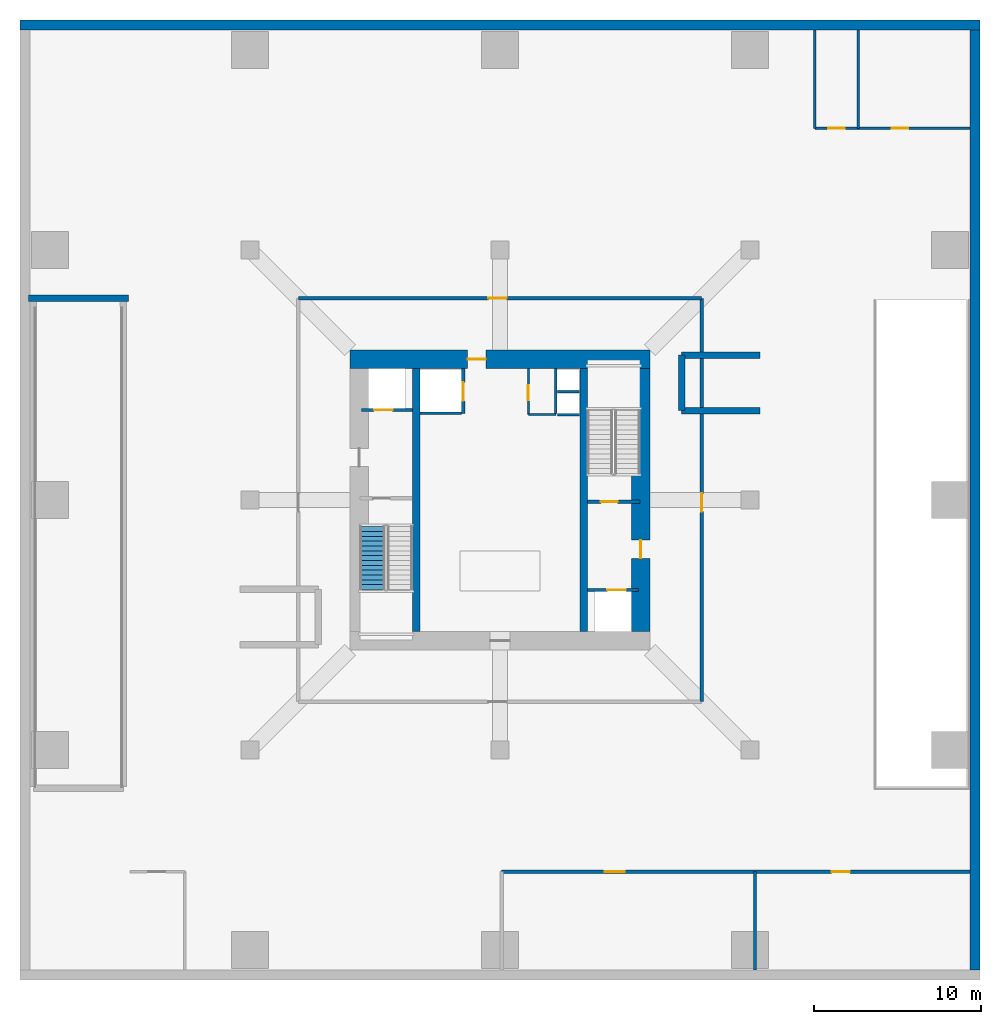
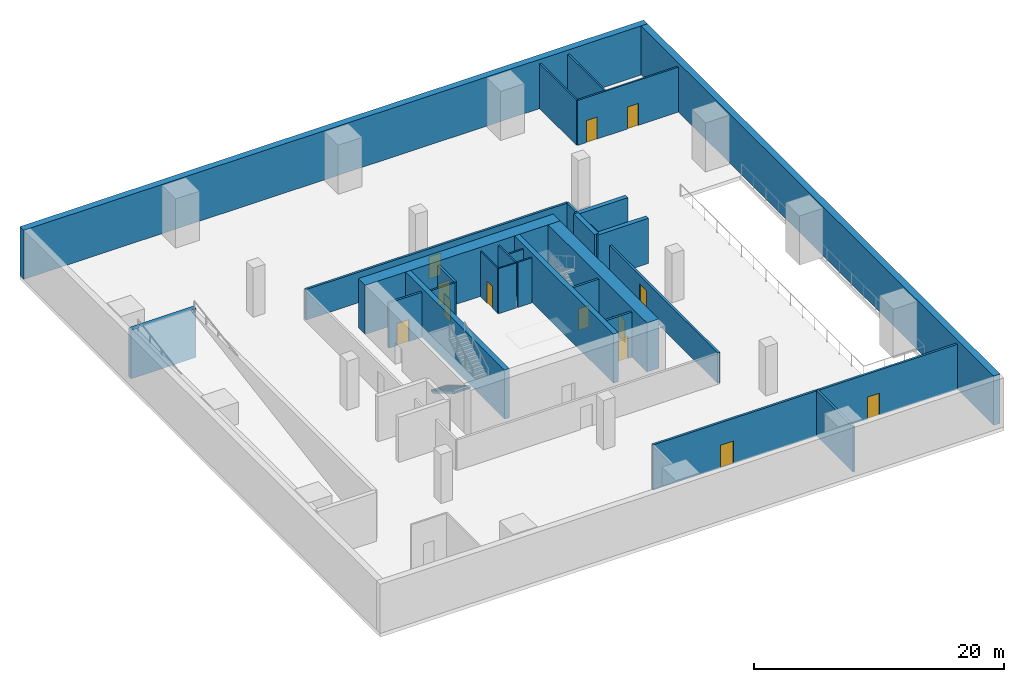
# One storey, part 2 of 6: 27 walls, 13 doors, 1 stair flight, 13 openings, 1 element without a shape of its own.
"""IFC4 building model written with IfcOpenShell, lengths in metres."""

import ifcopenshell
import ifcopenshell.guid

model = None  # the IFC model being written
_history = None  # IfcOwnerHistory: only IFC2X3 demands one
_inside = {}  # id of a spatial element -> (the spatial element, [elements in it])
_under = {}  # id of a project, library or spatial element -> (it, [spatial elements below it])
_declared = {}  # id of a project -> (the project, [libraries it declares])
_typed = {}  # id of a type object -> (the type object, [elements of that type])
_made_of = {}  # id of a material, layer set ... -> (it, [elements and type objects made of it])


def new_model(schema):
    """Start an empty IFC model of exactly this schema.

    Asked for "IFC4X3", IfcOpenShell would pick the latest addendum, in which some entities
    have other attributes; the version numbers below select the first issue.
    IFC2X3 requires an IfcOwnerHistory on every rooted entity: one is made here for all.
    """
    global model, _history
    if schema == "IFC4X3":
        model = ifcopenshell.file(schema_version=(4, 3, 0, 0))
    else:
        model = ifcopenshell.file(schema=schema)
    _inside.clear()
    _under.clear()
    _declared.clear()
    _typed.clear()
    _made_of.clear()
    _history = None
    if model.schema == "IFC2X3":
        org = make("IfcOrganization", Name="unknown")
        user = make(
            "IfcPersonAndOrganization",
            ThePerson=make("IfcPerson", FamilyName="unknown"),
            TheOrganization=org,
        )
        app = make(
            "IfcApplication",
            ApplicationDeveloper=org,
            Version="unknown",
            ApplicationFullName="unknown",
            ApplicationIdentifier="unknown",
        )
        _history = make(
            "IfcOwnerHistory",
            OwningUser=user,
            OwningApplication=app,
            ChangeAction="ADDED",
            CreationDate=0,
        )
    return model


def make(cls, **values):
    """One entity of the class cls with the attributes given. An attribute that is None is left unset."""
    return model.create_entity(
        cls, **{name: value for name, value in values.items() if value is not None}
    )


def rooted(cls, **values):
    """An entity with a GlobalId (a new one), such as an element, a storey or a relation."""
    return make(cls, GlobalId=ifcopenshell.guid.new(), OwnerHistory=_history, **values)


def si_unit(unit_type, name, prefix=None):
    """IfcSIUnit, for example si_unit("LENGTHUNIT", "METRE", prefix="MILLI")."""
    return make("IfcSIUnit", UnitType=unit_type, Prefix=prefix, Name=name)


def assignment(units):
    """IfcUnitAssignment: the units of a project."""
    return None if units is None else make("IfcUnitAssignment", Units=units)


def point(xyz):
    """IfcCartesianPoint."""
    return None if xyz is None else make("IfcCartesianPoint", Coordinates=xyz)


def direction(xyz):
    """IfcDirection."""
    return None if xyz is None else make("IfcDirection", DirectionRatios=xyz)


def frame(location, z_axis=None, x_axis=None):
    """IfcAxis2Placement3D, a coordinate frame: its origin and axes. An axis left out is left unset."""
    return make(
        "IfcAxis2Placement3D",
        Location=point(location),
        Axis=direction(z_axis),
        RefDirection=direction(x_axis),
    )


def frame_2d(location, x_axis=None):
    """IfcAxis2Placement2D, a coordinate frame in the plane: its origin and x axis."""
    return make(
        "IfcAxis2Placement2D", Location=point(location), RefDirection=direction(x_axis)
    )


def origin():
    """The frame at (0, 0, 0) with its axes left unset."""
    return frame((0.0, 0.0, 0.0))


def place(relative_to, where):
    """IfcLocalPlacement: puts the frame where relative to a parent placement (None: the world)."""
    return make(
        "IfcLocalPlacement", PlacementRelTo=relative_to, RelativePlacement=where
    )


def context(
    kind, dimensions, precision=None, world=None, true_north=None, identifier=None
):
    """IfcGeometricRepresentationContext, for example the 3D "Model" context."""
    return make(
        "IfcGeometricRepresentationContext",
        ContextIdentifier=identifier,
        ContextType=kind,
        CoordinateSpaceDimension=dimensions,
        Precision=precision,
        WorldCoordinateSystem=world,
        TrueNorth=true_north,
    )


def subcontext(parent, identifier, kind, view, scale=None):
    """IfcGeometricRepresentationSubContext, for example "Body" below "Model"."""
    return make(
        "IfcGeometricRepresentationSubContext",
        ContextIdentifier=identifier,
        ContextType=kind,
        ParentContext=parent,
        TargetScale=scale,
        TargetView=view,
    )


def project(units=None, contexts=None):
    """IfcProject with its units and contexts."""
    return rooted(
        "IfcProject",
        Name="project",
        RepresentationContexts=contexts,
        UnitsInContext=assignment(units),
    )


def spatial(cls, under=None, at=None, **own):
    """A site, building, storey or space (cls), placed at a placement, below another one or the project."""
    s = rooted(cls, ObjectPlacement=at, **own)
    if under is not None:
        _under.setdefault(under.id(), (under, []))[1].append(s)
    return s


def polyline(points):
    """IfcPolyline through the points."""
    return make("IfcPolyline", Points=[point(p) for p in points])


def profile(cls, at=None, kind="AREA", **sizes):
    """A parametric profile (cls). Its sizes go by their IFC names, for example OverallWidth=200.0."""
    return make(cls, ProfileType=kind, Position=at, **sizes)


def rectangle(**sizes):
    """IfcRectangleProfileDef."""
    return profile("IfcRectangleProfileDef", **sizes)


def outline(outer, holes=None, kind="AREA"):
    """IfcArbitraryClosedProfileDef: a profile drawn as a closed curve; with holes, ...WithVoids."""
    if holes is None:
        return make("IfcArbitraryClosedProfileDef", ProfileType=kind, OuterCurve=outer)
    return make(
        "IfcArbitraryProfileDefWithVoids",
        ProfileType=kind,
        OuterCurve=outer,
        InnerCurves=holes,
    )


def extrude(swept, where, along, depth):
    """IfcExtrudedAreaSolid: the profile swept, set in the frame where, extruded along a direction by depth."""
    return make(
        "IfcExtrudedAreaSolid",
        SweptArea=swept,
        Position=where,
        ExtrudedDirection=direction(along),
        Depth=depth,
    )


def shape(context_of_items, identifier, shape_type, items):
    """IfcShapeRepresentation: the items that make up one representation, for example the "Body"."""
    return make(
        "IfcShapeRepresentation",
        ContextOfItems=context_of_items,
        RepresentationIdentifier=identifier,
        RepresentationType=shape_type,
        Items=items,
    )


def material(Name=None, Category=None):
    """IfcMaterial."""
    return make("IfcMaterial", Name=Name, Category=Category)


def layer(
    of_material, thickness, ventilated=None, Name=None, Category=None, Priority=None
):
    """IfcMaterialLayer: one layer of a wall or slab, of a material (None: an air gap)."""
    return make(
        "IfcMaterialLayer",
        Material=of_material,
        LayerThickness=thickness,
        IsVentilated=ventilated,
        Name=Name,
        Category=Category,
        Priority=Priority,
    )


def layer_set(layers, Name=None):
    """IfcMaterialLayerSet."""
    return make("IfcMaterialLayerSet", MaterialLayers=layers, LayerSetName=Name)


def made_of(thing, what):
    """Note that an element or type object is made of a material, layer set ...; save() writes the relation."""
    if what is not None:
        _made_of.setdefault(what.id(), (what, []))[1].append(thing)
    return thing


def type_object(cls, material=None, **own):
    """A type object (cls), such as IfcWallType, which elements share."""
    return made_of(rooted(cls, **own), material)


def element(
    cls,
    number,
    at=None,
    inside=None,
    cuts=None,
    type_object=None,
    material=None,
    context=None,
    identifier="Body",
    shape_type=None,
    held_by="IfcProductDefinitionShape",
    body=None,
    shapes=None,
    **own,
):
    """One element of the class cls, such as IfcWall. Its Tag is "e" and its number.

    at: its placement. inside: the storey or other place that contains it. cuts: it is an
    opening in that element (IfcRelVoidsElement). A single representation is given by context,
    identifier, shape_type and body (its items); several are given by shapes. held_by: the class
    of the entity that holds the representations. save() writes the other relations.
    """
    e = rooted(cls, Tag="e%d" % number, ObjectPlacement=at, **own)
    if body is not None:
        shapes = [shape(context, identifier, shape_type, body)]
    if shapes is not None:
        e.Representation = make(held_by, Representations=shapes)
    if inside is not None:
        _inside.setdefault(inside.id(), (inside, []))[1].append(e)
    if cuts is not None:
        rooted(
            "IfcRelVoidsElement", RelatingBuildingElement=cuts, RelatedOpeningElement=e
        )
    if type_object is not None:
        _typed.setdefault(type_object.id(), (type_object, []))[1].append(e)
    return made_of(e, material)


def fill(opening, filler):
    """IfcRelFillsElement: the door or window that sits in an opening."""
    return rooted(
        "IfcRelFillsElement",
        RelatingOpeningElement=opening,
        RelatedBuildingElement=filler,
    )


def aggregate(whole, parts):
    """IfcRelAggregates: a whole, such as a stair, and the parts it consists of."""
    return rooted("IfcRelAggregates", RelatingObject=whole, RelatedObjects=parts)


def save(model, path):
    """Write the relations noted so far, then the file.

    IfcRelAggregates (storeys below a building ...), IfcRelContainedInSpatialStructure (elements
    in a storey), IfcRelDefinesByType, IfcRelAssociatesMaterial and IfcRelDeclares: one each for
    every whole, place, type object, material and project.
    """
    for whole, parts in _under.values():
        aggregate(whole, parts)
    for where, things in _inside.values():
        rooted(
            "IfcRelContainedInSpatialStructure",
            RelatedElements=things,
            RelatingStructure=where,
        )
    for kind, things in _typed.values():
        rooted("IfcRelDefinesByType", RelatedObjects=things, RelatingType=kind)
    for what, things in _made_of.values():
        rooted("IfcRelAssociatesMaterial", RelatedObjects=things, RelatingMaterial=what)
    for by, libraries in _declared.values():
        rooted("IfcRelDeclares", RelatingContext=by, RelatedDefinitions=libraries)
    model.write(path)


model = new_model("IFC4")

# Units and contexts
model_context = context("Model", 3, precision=1e-05, world=origin(), true_north=direction((0.0, 1.0)))
body_context = subcontext(model_context, "Body", "Model", "MODEL_VIEW")
ifc_project = project(units=[si_unit("LENGTHUNIT", "METRE"), si_unit("AREAUNIT", "SQUARE_METRE"), si_unit("VOLUMEUNIT", "CUBIC_METRE"), si_unit("PLANEANGLEUNIT", "RADIAN"), si_unit("MASSUNIT", "GRAM", prefix="KILO")], contexts=[model_context])

# Site, building, storey
site_placement = place(None, origin())
site = spatial("IfcSite", under=ifc_project, at=site_placement, CompositionType="ELEMENT")
building_placement = place(site_placement, origin())
building = spatial("IfcBuilding", under=site, at=building_placement, Name="Belovzor Exchange Tower", CompositionType="ELEMENT")
storey_placement = place(building_placement, frame((0.0, 0.0, -4.800048828125)))
storey = spatial("IfcBuildingStorey", under=building, at=storey_placement, Name="B01", CompositionType="ELEMENT", Elevation=-4.800048828125)

# Wall, opening, door
ifc_material_1 = material(Name="Fire-Rated Plasterboard on Galvanised Studs", Category="gypsum")
ifc_layer_1 = layer(ifc_material_1, 0.1201171875)
ifc_layer_set_1 = layer_set([ifc_layer_1], Name="Fire-Rated Plasterboard on Galvanised Studs")
wall_type_1 = type_object("IfcWallType", Name="Fire-Rated Double-Stud Partition Wall 120", PredefinedType="PARTITIONING", material=ifc_layer_set_1)
wall_1_placement = place(storey_placement, frame((30.5, 33.925048828125, 0.0), z_axis=(0.0, 0.0, 1.0), x_axis=(0.0, 1.0, 0.0)))
wall_1 = element("IfcWall", 1, at=wall_1_placement, inside=storey, type_object=wall_type_1, Name="W-P120F Partition Wall W-CRV-B01-W", PredefinedType="PARTITIONING", context=body_context, shape_type="SweptSolid", body=[
    extrude(rectangle(XDim=2.77490234375, YDim=0.1201171875, at=frame_2d((1.387451171875, 0.0))), origin(), (0.0, 0.0, 1.0), 4.400146484375),
])
opening_1_placement = place(wall_1_placement, frame((0.85009765625, 0.0, 0.0)))
opening_1 = element("IfcOpeningElement", 2, at=opening_1_placement, cuts=wall_1, Name="Opening D-FD60-090", PredefinedType="OPENING", context=body_context, shape_type="SweptSolid", body=[
    extrude(rectangle(XDim=0.89990234375, YDim=2.10009765625, at=frame_2d((0.449951171875, 1.050048828125))), frame((0.0, 0.070068359375, 0.0), z_axis=(0.0, -1.0, 0.0), x_axis=(1.0, 0.0, 0.0)), (0.0, 0.0, 1.0), 0.14013671875),
])
ifc_material_2 = material(Name="Acoustic Timber Fire Leaf", Category="wood")
door_type_1 = type_object("IfcDoorType", Name="Core Service & Restroom Fire Door 900x2100", OperationType="NOTDEFINED", PredefinedType="DOOR", material=ifc_material_2)
door_1_placement = place(opening_1_placement, origin())
door_1 = element("IfcDoor", 3, at=door_1_placement, inside=storey, type_object=door_type_1, Name="D-FD60-090 Core Service & Restroom Fire Door 900x2100", OperationType="SINGLE_SWING_LEFT", OverallHeight=2.10009765625, OverallWidth=0.89990234375, PredefinedType="DOOR", context=body_context, shape_type="SweptSolid", body=[
    extrude(rectangle(XDim=0.89990234375, YDim=2.10009765625, at=frame_2d((0.449951171875, 1.050048828125))), frame((0.0, 0.02490234375, 0.0), z_axis=(0.0, -1.0, 0.0), x_axis=(1.0, 0.0, 0.0)), (0.0, 0.0, 1.0), 0.050048828125),
])
fill(opening_1, door_1)

# Walls
wall_2_placement = place(storey_placement, frame((30.5, 33.925048828125, 0.0), z_axis=(0.0, 0.0, 1.0), x_axis=(1.0, 0.0, 0.0)))
element("IfcWall", 4, at=wall_2_placement, inside=storey, type_object=wall_type_1, Name="W-P120F Partition Wall W-CRV-B01-S", PredefinedType="PARTITIONING", context=body_context, shape_type="SweptSolid", body=[
    extrude(rectangle(XDim=1.64990234375, YDim=0.1201171875, at=frame_2d((0.824951171875, 0.0))), origin(), (0.0, 0.0, 1.0), 4.400146484375),
])
ifc_material_3 = material(Name="Fire-Rated Gypsum Block and Mineral Wool", Category="gypsum")
ifc_layer_2 = layer(ifc_material_3, 0.14990234375)
ifc_layer_set_2 = layer_set([ifc_layer_2], Name="Fire-Rated Gypsum Block and Mineral Wool")
wall_type_2 = type_object("IfcWallType", Name="Fire-Rated Gypsum Block Corridor Wall 150", PredefinedType="PARTITIONING", material=ifc_layer_set_2)
for number, where, z_axis, x_axis, name in (
    (5, (47.699951171875, 51.10009765625, 0.0), (0.0, 0.0, 1.0), (0.0, 1.0, 0.0), "W-P150 Partition Wall W-B01-AWCW"),
    (6, (50.300048828125, 51.10009765625, 0.0), (0.0, 0.0, 1.0), (0.0, 1.0, 0.0), "W-P150 Partition Wall W-B01-MNTW"),
):
    element("IfcWall", number, at=place(storey_placement, frame(where, z_axis=z_axis, x_axis=x_axis)), inside=storey, type_object=wall_type_2, Name=name, PredefinedType="PARTITIONING", context=body_context, shape_type="SweptSolid", body=[
        extrude(rectangle(XDim=5.89990234375, YDim=0.14990234375, at=frame_2d((2.949951171875, 0.0))), origin(), (0.0, 0.0, 1.0), 4.400146484375),
    ])

# Wall, openings, doors
wall_3_placement = place(storey_placement, frame((47.699951171875, 51.10009765625, 0.0), z_axis=(0.0, 0.0, 1.0), x_axis=(1.0, 0.0, 0.0)))
wall_3 = element("IfcWall", 7, at=wall_3_placement, inside=storey, type_object=wall_type_2, Name="W-P150 Partition Wall W-B01-AWCS", PredefinedType="PARTITIONING", context=body_context, shape_type="SweptSolid", body=[
    extrude(rectangle(XDim=9.300048828125, YDim=0.14990234375, at=frame_2d((4.64990234375, 0.0))), origin(), (0.0, 0.0, 1.0), 4.400146484375),
])
opening_2_placement = place(wall_3_placement, frame((0.800048828125, 0.0, 0.0)))
opening_2 = element("IfcOpeningElement", 8, at=opening_2_placement, cuts=wall_3, Name="Opening D-FD60-105", PredefinedType="OPENING", context=body_context, shape_type="SweptSolid", body=[
    extrude(rectangle(XDim=1.0, YDim=2.14990234375, at=frame_2d((0.5, 1.074951171875))), frame((0.0, 0.0849609375, 0.0), z_axis=(0.0, -1.0, 0.0), x_axis=(1.0, 0.0, 0.0)), (0.0, 0.0, 1.0), 0.169921875),
])
opening_3_placement = place(wall_3_placement, frame((4.60009765625, 0.0, 0.0)))
opening_3 = element("IfcOpeningElement", 9, at=opening_3_placement, cuts=wall_3, Name="Opening D-FD60-105", PredefinedType="OPENING", context=body_context, shape_type="SweptSolid", body=[
    extrude(rectangle(XDim=1.0, YDim=2.14990234375, at=frame_2d((0.5, 1.074951171875))), frame((0.0, 0.0849609375, 0.0), z_axis=(0.0, -1.0, 0.0), x_axis=(1.0, 0.0, 0.0)), (0.0, 0.0, 1.0), 0.169921875),
])
ifc_material_4 = material(Name="Acoustic Timber Fire Leaf", Category="wood")
door_type_2 = type_object("IfcDoorType", Name="Podium Gallery Acoustic Fire Door 1000x2150", OperationType="NOTDEFINED", PredefinedType="DOOR", material=ifc_material_4)
door_2_placement = place(opening_2_placement, origin())
door_2 = element("IfcDoor", 10, at=door_2_placement, inside=storey, type_object=door_type_2, Name="D-FD60-105 Podium Gallery Acoustic Fire Door 1000x2150", OperationType="SINGLE_SWING_RIGHT", OverallHeight=2.14990234375, OverallWidth=1.0, PredefinedType="DOOR", context=body_context, shape_type="SweptSolid", body=[
    extrude(rectangle(XDim=1.0, YDim=2.14990234375, at=frame_2d((0.5, 1.074951171875))), frame((0.0, 0.02490234375, 0.0), z_axis=(0.0, -1.0, 0.0), x_axis=(1.0, 0.0, 0.0)), (0.0, 0.0, 1.0), 0.050048828125),
])
fill(opening_2, door_2)
door_3_placement = place(opening_3_placement, origin())
door_3 = element("IfcDoor", 11, at=door_3_placement, inside=storey, type_object=door_type_2, Name="D-FD60-105 Podium Gallery Acoustic Fire Door 1000x2150", OperationType="SINGLE_SWING_LEFT", OverallHeight=2.14990234375, OverallWidth=1.0, PredefinedType="DOOR", context=body_context, shape_type="SweptSolid", body=[
    extrude(rectangle(XDim=1.0, YDim=2.14990234375, at=frame_2d((0.5, 1.074951171875))), frame((0.0, 0.02490234375, 0.0), z_axis=(0.0, -1.0, 0.0), x_axis=(1.0, 0.0, 0.0)), (0.0, 0.0, 1.0), 0.050048828125),
])
fill(opening_3, door_3)

# Walls
ifc_material_5 = material(Name="Concrete C50/60", Category="concrete")
ifc_layer_3 = layer(ifc_material_5, 0.60009765625)
ifc_layer_set_3 = layer_set([ifc_layer_3], Name="Concrete C50/60")
wall_type_3 = type_object("IfcWallType", Name="Reinforced Concrete Basement Diaphragm Retaining Wall 600", PredefinedType="SOLIDWALL", material=ifc_layer_set_3)
wall_4_placement = place(storey_placement, frame((0.0, 57.300048828125, 0.0), z_axis=(0.0, 0.0, 1.0), x_axis=(1.0, 0.0, 0.0)))
element("IfcWall", 12, at=wall_4_placement, inside=storey, type_object=wall_type_3, Name="DW-060 Basement Diaphragm Wall B01 N", PredefinedType="SOLIDWALL", context=body_context, shape_type="SweptSolid", body=[
    extrude(rectangle(XDim=57.60009765625, YDim=0.60009765625, at=frame_2d((28.800048828125, 0.0))), origin(), (0.0, 0.0, 1.0), 4.800048828125),
])
wall_5_placement = place(storey_placement, frame((57.300048828125, 0.60009765625, 0.0), z_axis=(0.0, 0.0, 1.0), x_axis=(0.0, 1.0, 0.0)))
element("IfcWall", 13, at=wall_5_placement, inside=storey, type_object=wall_type_3, Name="DW-060 Basement Diaphragm Wall B01 E", PredefinedType="SOLIDWALL", context=body_context, shape_type="SweptSolid", body=[
    extrude(rectangle(XDim=56.39990234375, YDim=0.60009765625, at=frame_2d((28.199951171875, 0.0))), origin(), (0.0, 0.0, 1.0), 4.800048828125),
])

# Wall, opening, door
ifc_material_6 = material(Name="Concrete C40/50", Category="concrete")
ifc_layer_4 = layer(ifc_material_6, 0.199951171875)
ifc_layer_set_4 = layer_set([ifc_layer_4], Name="Concrete C40/50")
wall_type_4 = type_object("IfcWallType", Name="Reinforced Concrete Compartment Wall 200", PredefinedType="PARTITIONING", material=ifc_layer_set_4)
wall_6_placement = place(storey_placement, frame((16.699951171875, 40.89990234375, 0.0), z_axis=(0.0, 0.0, 1.0), x_axis=(1.0, 0.0, 0.0)))
wall_6 = element("IfcWall", 14, at=wall_6_placement, inside=storey, type_object=wall_type_4, Name="W-C200 Partition Wall W-B01-CN", PredefinedType="PARTITIONING", context=body_context, shape_type="SweptSolid", body=[
    extrude(rectangle(XDim=24.199951171875, YDim=0.199951171875, at=frame_2d((12.10009765625, 0.0))), origin(), (0.0, 0.0, 1.0), 2.985107421875),
])
opening_4_placement = place(wall_6_placement, frame((11.39990234375, 0.0, 0.0)))
opening_4 = element("IfcOpeningElement", 15, at=opening_4_placement, cuts=wall_6, Name="Opening D-FD90-110", PredefinedType="OPENING", context=body_context, shape_type="SweptSolid", body=[
    extrude(rectangle(XDim=1.10009765625, YDim=2.14990234375, at=frame_2d((0.550048828125, 1.074951171875))), frame((0.0, 0.10986328125, 0.0), z_axis=(0.0, -1.0, 0.0), x_axis=(1.0, 0.0, 0.0)), (0.0, 0.0, 1.0), 0.219970703125),
])
ifc_material_7 = material(Name="Fire-Rated Galvanised Steel Leaf", Category="steel")
door_type_3 = type_object("IfcDoorType", Name="Protected Escape Vestibule Fire Door 1100x2150", OperationType="NOTDEFINED", PredefinedType="DOOR", material=ifc_material_7)
door_4_placement = place(opening_4_placement, origin())
door_4 = element("IfcDoor", 16, at=door_4_placement, inside=storey, type_object=door_type_3, Name="D-FD90-110 Protected Escape Vestibule Fire Door 1100x2150", OperationType="SINGLE_SWING_RIGHT", OverallHeight=2.14990234375, OverallWidth=1.10009765625, PredefinedType="DOOR", context=body_context, shape_type="SweptSolid", body=[
    extrude(rectangle(XDim=1.10009765625, YDim=2.14990234375, at=frame_2d((0.550048828125, 1.074951171875))), frame((0.0, 0.02490234375, 0.0), z_axis=(0.0, -1.0, 0.0), x_axis=(1.0, 0.0, 0.0)), (0.0, 0.0, 1.0), 0.050048828125),
])
fill(opening_4, door_4)

wall_7_placement = place(storey_placement, frame((40.89990234375, 16.699951171875, 0.0), z_axis=(0.0, 0.0, 1.0), x_axis=(0.0, 1.0, 0.0)))
wall_7 = element("IfcWall", 17, at=wall_7_placement, inside=storey, type_object=wall_type_4, Name="W-C200 Partition Wall W-B01-VE", PredefinedType="PARTITIONING", context=body_context, shape_type="SweptSolid", body=[
    extrude(rectangle(XDim=24.199951171875, YDim=0.199951171875, at=frame_2d((12.10009765625, 0.0))), origin(), (0.0, 0.0, 1.0), 2.985107421875),
])
opening_5_placement = place(wall_7_placement, frame((11.39990234375, 0.0, 0.0)))
opening_5 = element("IfcOpeningElement", 18, at=opening_5_placement, cuts=wall_7, Name="Opening D-FD90-110", PredefinedType="OPENING", context=body_context, shape_type="SweptSolid", body=[
    extrude(rectangle(XDim=1.10009765625, YDim=2.14990234375, at=frame_2d((0.550048828125, 1.074951171875))), frame((0.0, 0.10986328125, 0.0), z_axis=(0.0, -1.0, 0.0), x_axis=(1.0, 0.0, 0.0)), (0.0, 0.0, 1.0), 0.219970703125),
])
door_5_placement = place(opening_5_placement, origin())
door_5 = element("IfcDoor", 19, at=door_5_placement, inside=storey, type_object=door_type_3, Name="D-FD90-110 Protected Escape Vestibule Fire Door 1100x2150", OperationType="SINGLE_SWING_RIGHT", OverallHeight=2.14990234375, OverallWidth=1.10009765625, PredefinedType="DOOR", context=body_context, shape_type="SweptSolid", body=[
    extrude(rectangle(XDim=1.10009765625, YDim=2.14990234375, at=frame_2d((0.550048828125, 1.074951171875))), frame((0.0, 0.02490234375, 0.0), z_axis=(0.0, -1.0, 0.0), x_axis=(1.0, 0.0, 0.0)), (0.0, 0.0, 1.0), 0.050048828125),
])
fill(opening_5, door_5)

# Wall, openings, doors
wall_8_placement = place(storey_placement, frame((28.89990234375, 6.5, 0.0), z_axis=(0.0, 0.0, 1.0), x_axis=(1.0, 0.0, 0.0)))
wall_8 = element("IfcWall", 20, at=wall_8_placement, inside=storey, type_object=wall_type_4, Name="W-C200 Partition Wall W-B01-LD-N", PredefinedType="PARTITIONING", context=body_context, shape_type="SweptSolid", body=[
    extrude(rectangle(XDim=28.10009765625, YDim=0.199951171875, at=frame_2d((14.050048828125, 0.0))), origin(), (0.0, 0.0, 1.0), 4.400146484375),
])
opening_6_placement = place(wall_8_placement, frame((6.199951171875, 0.0, 0.0)))
opening_6 = element("IfcOpeningElement", 21, at=opening_6_placement, cuts=wall_8, Name="Opening D-FD60-120", PredefinedType="OPENING", context=body_context, shape_type="SweptSolid", body=[
    extrude(rectangle(XDim=1.199951171875, YDim=2.199951171875, at=frame_2d((0.60009765625, 1.10009765625))), frame((0.0, 0.10986328125, 0.0), z_axis=(0.0, -1.0, 0.0), x_axis=(1.0, 0.0, 0.0)), (0.0, 0.0, 1.0), 0.219970703125),
])
opening_7_placement = place(wall_8_placement, frame((19.800048828125, 0.0, 0.0)))
opening_7 = element("IfcOpeningElement", 22, at=opening_7_placement, cuts=wall_8, Name="Opening D-FD60-110", PredefinedType="OPENING", context=body_context, shape_type="SweptSolid", body=[
    extrude(rectangle(XDim=1.10009765625, YDim=2.14990234375, at=frame_2d((0.550048828125, 1.074951171875))), frame((0.0, 0.10986328125, 0.0), z_axis=(0.0, -1.0, 0.0), x_axis=(1.0, 0.0, 0.0)), (0.0, 0.0, 1.0), 0.219970703125),
])
ifc_material_8 = material(Name="Fire-Rated Galvanised Steel Leaf", Category="steel")
door_type_4 = type_object("IfcDoorType", Name="Loading & Service Vestibule Fire Door 1200x2200", OperationType="NOTDEFINED", PredefinedType="DOOR", material=ifc_material_8)
door_6_placement = place(opening_6_placement, origin())
door_6 = element("IfcDoor", 23, at=door_6_placement, inside=storey, type_object=door_type_4, Name="D-FD60-120 Loading & Service Vestibule Fire Door 1200x2200", OperationType="SINGLE_SWING_LEFT", OverallHeight=2.199951171875, OverallWidth=1.199951171875, PredefinedType="DOOR", context=body_context, shape_type="SweptSolid", body=[
    extrude(rectangle(XDim=1.199951171875, YDim=2.199951171875, at=frame_2d((0.60009765625, 1.10009765625))), frame((0.0, 0.02490234375, 0.0), z_axis=(0.0, -1.0, 0.0), x_axis=(1.0, 0.0, 0.0)), (0.0, 0.0, 1.0), 0.050048828125),
])
fill(opening_6, door_6)
ifc_material_9 = material(Name="Fire-Rated Galvanised Steel Leaf", Category="steel")
door_type_5 = type_object("IfcDoorType", Name="Refuse & Service Store Fire Door 1100x2150", OperationType="NOTDEFINED", PredefinedType="DOOR", material=ifc_material_9)
door_7_placement = place(opening_7_placement, origin())
door_7 = element("IfcDoor", 24, at=door_7_placement, inside=storey, type_object=door_type_5, Name="D-FD60-110 Refuse & Service Store Fire Door 1100x2150", OperationType="SINGLE_SWING_LEFT", OverallHeight=2.14990234375, OverallWidth=1.10009765625, PredefinedType="DOOR", context=body_context, shape_type="SweptSolid", body=[
    extrude(rectangle(XDim=1.10009765625, YDim=2.14990234375, at=frame_2d((0.550048828125, 1.074951171875))), frame((0.0, 0.02490234375, 0.0), z_axis=(0.0, -1.0, 0.0), x_axis=(1.0, 0.0, 0.0)), (0.0, 0.0, 1.0), 0.050048828125),
])
fill(opening_7, door_7)

# Walls
wall_9_placement = place(storey_placement, frame((44.10009765625, 0.60009765625, 0.0), z_axis=(0.0, 0.0, 1.0), x_axis=(0.0, 1.0, 0.0)))
element("IfcWall", 25, at=wall_9_placement, inside=storey, type_object=wall_type_4, Name="W-C200 Partition Wall W-B01-REFW", PredefinedType="PARTITIONING", context=body_context, shape_type="SweptSolid", body=[
    extrude(rectangle(XDim=5.89990234375, YDim=0.199951171875, at=frame_2d((2.949951171875, 0.0))), origin(), (0.0, 0.0, 1.0), 4.400146484375),
])
ifc_material_10 = material(Name="Concrete C50/60", Category="concrete")
ifc_layer_5 = layer(ifc_material_10, 0.39990234375)
ifc_layer_set_5 = layer_set([ifc_layer_5], Name="Concrete C50/60")
wall_type_5 = type_object("IfcWallType", Name="Reinforced Concrete Core Internal Web Wall 400", PredefinedType="SHEAR", material=ifc_layer_set_5)
wall_10_placement = place(storey_placement, frame((0.5, 40.89990234375, 0.0), z_axis=(0.0, 0.0, 1.0), x_axis=(1.0, 0.0, 0.0)))
element("IfcWall", 26, at=wall_10_placement, inside=storey, type_object=wall_type_5, Name="CW-W040 Vehicle Ramp Support Wall RWALL-B01-WH", PredefinedType="SHEAR", context=body_context, shape_type="SweptSolid", body=[
    extrude(rectangle(XDim=6.0, YDim=0.39990234375, at=frame_2d((3.0, 0.0))), origin(), (0.0, 0.0, 1.0), 4.780029296875),
])
for number, where, z_axis, x_axis, name in (
    (27, (39.699951171875, 34.1650390625, 0.001953125), (0.0, 0.0, 1.0), (1.0, 0.0, 0.0), "CW-W040 Vehicle Ramp Support Wall SWALL-B01-ST4S"),
    (28, (39.699951171875, 37.485107421875, 0.001953125), (0.0, 0.0, 1.0), (1.0, 0.0, 0.0), "CW-W040 Vehicle Ramp Support Wall SWALL-B01-ST4N"),
):
    element("IfcWall", number, at=place(storey_placement, frame(where, z_axis=z_axis, x_axis=x_axis)), inside=storey, type_object=wall_type_5, Name=name, PredefinedType="SHEAR", context=body_context, shape_type="SweptSolid", body=[
        extrude(rectangle(XDim=4.699951171875, YDim=0.39990234375, at=frame_2d((2.35009765625, 0.0))), origin(), (0.0, 0.0, 1.0), 4.39599609375),
    ])
wall_11_placement = place(storey_placement, frame((39.715087890625, 34.1650390625, 0.001953125), z_axis=(0.0, 0.0, 1.0), x_axis=(0.0, 1.0, 0.0)))
element("IfcWall", 29, at=wall_11_placement, inside=storey, type_object=wall_type_5, Name="CW-W040 Vehicle Ramp Support Wall SWALL-B01-ST4W", PredefinedType="SHEAR", context=body_context, shape_type="SweptSolid", body=[
    extrude(rectangle(XDim=3.320068359375, YDim=0.39990234375, at=frame_2d((1.66015625, 0.0))), origin(), (0.0, 0.0, 1.0), 4.39599609375),
])
ifc_material_11 = material(Name="Concrete C50/60", Category="concrete")
ifc_layer_6 = layer(ifc_material_11, 0.449951171875)
ifc_layer_set_6 = layer_set([ifc_layer_6], Name="Concrete C50/60")
wall_type_6 = type_object("IfcWallType", Name="Reinforced Concrete Core Internal Web Wall 450", PredefinedType="SHEAR", material=ifc_layer_set_6)
for number, where, z_axis, x_axis, name in (
    (30, (23.77490234375, 20.89990234375, 0.0), (0.0, 0.0, 1.0), (0.0, 1.0, 0.0), "CW-W045 Core Internal Web Wall B01 WL"),
    (31, (33.824951171875, 20.89990234375, 0.0), (0.0, 0.0, 1.0), (0.0, 1.0, 0.0), "CW-W045 Core Internal Web Wall B01 ER"),
):
    element("IfcWall", number, at=place(storey_placement, frame(where, z_axis=z_axis, x_axis=x_axis)), inside=storey, type_object=wall_type_6, Name=name, PredefinedType="SHEAR", context=body_context, shape_type="SweptSolid", body=[
        extrude(rectangle(XDim=15.800048828125, YDim=0.449951171875, at=frame_2d((7.89990234375, 0.0))), origin(), (0.0, 0.0, 1.0), 4.800048828125),
    ])
ifc_material_12 = material(Name="Concrete C50/60", Category="concrete")
ifc_layer_7 = layer(ifc_material_12, 0.14990234375)
ifc_layer_set_7 = layer_set([ifc_layer_7], Name="Concrete C50/60")
wall_type_7 = type_object("IfcWallType", Name="Reinforced Concrete Core Riser Shear Wall 150", PredefinedType="SHEAR", material=ifc_layer_set_7)
wall_12_placement = place(storey_placement, frame((32.14990234375, 34.0, 0.0), z_axis=(0.0, 0.0, 1.0), x_axis=(0.0, 1.0, 0.0)))
element("IfcWall", 32, at=wall_12_placement, inside=storey, type_object=wall_type_7, Name="W-C150S Core Shaft Wall W-RSR-B01-E", PredefinedType="SHEAR", context=body_context, shape_type="SweptSolid", body=[
    extrude(rectangle(XDim=2.699951171875, YDim=0.14990234375, at=frame_2d((1.35009765625, 0.0))), origin(), (0.0, 0.0, 1.0), 4.400146484375),
])
for number, where, z_axis, x_axis, name in (
    (33, (32.25, 33.925048828125, 0.0), (0.0, 0.0, 1.0), (1.0, 0.0, 0.0), "W-C150S Core Shaft Wall W-RSR-B01-S"),
    (34, (32.25, 35.300048828125, 0.0), (0.0, 0.0, 1.0), (1.0, 0.0, 0.0), "W-C150S Core Shaft Wall W-RSR-B01-M"),
):
    element("IfcWall", number, at=place(storey_placement, frame(where, z_axis=z_axis, x_axis=x_axis)), inside=storey, type_object=wall_type_7, Name=name, PredefinedType="SHEAR", context=body_context, shape_type="SweptSolid", body=[
        extrude(rectangle(XDim=1.330078125, YDim=0.14990234375, at=frame_2d((0.6650390625, 0.0))), origin(), (0.0, 0.0, 1.0), 4.400146484375),
    ])
wall_13_placement = place(storey_placement, frame((24.0, 34.0, 0.0), z_axis=(0.0, 0.0, 1.0), x_axis=(1.0, 0.0, 0.0)))
element("IfcWall", 35, at=wall_13_placement, inside=storey, type_object=wall_type_7, Name="W-C150S Core Shaft Wall W-SH-B01-SL-01S", PredefinedType="SHEAR", context=body_context, shape_type="SweptSolid", body=[
    extrude(rectangle(XDim=2.47998046875, YDim=0.14990234375, at=frame_2d((1.239990234375, 0.0))), origin(), (0.0, 0.0, 1.0), 4.400146484375),
])

# Wall, opening, door
ifc_material_13 = material(Name="Concrete C50/60", Category="concrete")
ifc_layer_8 = layer(ifc_material_13, 0.199951171875)
ifc_layer_set_8 = layer_set([ifc_layer_8], Name="Concrete C50/60")
wall_type_8 = type_object("IfcWallType", Name="Reinforced Concrete Core Shaft Shear Wall 200", PredefinedType="SHEAR", material=ifc_layer_set_8)
wall_14_placement = place(storey_placement, frame((34.050048828125, 28.699951171875, 0.0), z_axis=(0.0, 0.0, 1.0), x_axis=(1.0, 0.0, 0.0)))
wall_14 = element("IfcWall", 36, at=wall_14_placement, inside=storey, type_object=wall_type_8, Name="W-C200S Core Shaft Wall W-CORE-B01-FFLE2", PredefinedType="SHEAR", context=body_context, shape_type="SweptSolid", body=[
    extrude(rectangle(XDim=3.14990234375, YDim=0.199951171875, at=frame_2d((1.574951171875, 0.0))), origin(), (0.0, 0.0, 1.0), 4.400146484375),
])
opening_8_placement = place(wall_14_placement, frame((0.800048828125, 0.0, 0.0)))
opening_8 = element("IfcOpeningElement", 37, at=opening_8_placement, cuts=wall_14, Name="Opening D-FD90-100", PredefinedType="OPENING", context=body_context, shape_type="SweptSolid", body=[
    extrude(rectangle(XDim=1.0, YDim=2.10009765625, at=frame_2d((0.5, 1.050048828125))), frame((0.0, 0.10986328125, 0.0), z_axis=(0.0, -1.0, 0.0), x_axis=(1.0, 0.0, 0.0)), (0.0, 0.0, 1.0), 0.219970703125),
])
ifc_material_14 = material(Name="Fire-Rated Galvanised Steel Leaf", Category="steel")
door_type_6 = type_object("IfcDoorType", Name="Protected Stairwell Single Fire Door 1000x2100", OperationType="NOTDEFINED", PredefinedType="DOOR", material=ifc_material_14)
door_8_placement = place(opening_8_placement, origin())
door_8 = element("IfcDoor", 38, at=door_8_placement, inside=storey, type_object=door_type_6, Name="D-FD90-100 Protected Stairwell Single Fire Door 1000x2100", OperationType="SINGLE_SWING_LEFT", OverallHeight=2.10009765625, OverallWidth=1.0, PredefinedType="DOOR", context=body_context, shape_type="SweptSolid", body=[
    extrude(rectangle(XDim=1.0, YDim=2.10009765625, at=frame_2d((0.5, 1.050048828125))), frame((0.0, 0.02490234375, 0.0), z_axis=(0.0, -1.0, 0.0), x_axis=(1.0, 0.0, 0.0)), (0.0, 0.0, 1.0), 0.050048828125),
])
fill(opening_8, door_8)

wall_15_placement = place(storey_placement, frame((20.5, 34.199951171875, 0.0), z_axis=(0.0, 0.0, 1.0), x_axis=(1.0, 0.0, 0.0)))
wall_15 = element("IfcWall", 39, at=wall_15_placement, inside=storey, type_object=wall_type_8, Name="W-C200S Core Shaft Wall W-SH-B01-FFL-01", PredefinedType="SHEAR", context=body_context, shape_type="SweptSolid", body=[
    extrude(rectangle(XDim=3.050048828125, YDim=0.199951171875, at=frame_2d((1.52490234375, 0.0))), origin(), (0.0, 0.0, 1.0), 4.400146484375),
])
opening_9_placement = place(wall_15_placement, frame((0.75, 0.0, 0.0)))
opening_9 = element("IfcOpeningElement", 40, at=opening_9_placement, cuts=wall_15, Name="Opening LD-110", PredefinedType="OPENING", context=body_context, shape_type="SweptSolid", body=[
    extrude(rectangle(XDim=1.10009765625, YDim=2.14990234375, at=frame_2d((0.550048828125, 1.074951171875))), frame((0.0, 0.10986328125, 0.0), z_axis=(0.0, -1.0, 0.0), x_axis=(1.0, 0.0, 0.0)), (0.0, 0.0, 1.0), 0.219970703125),
])
ifc_material_15 = material(Name="Stainless Steel Grade 304", Category="steel")
door_type_7 = type_object("IfcDoorType", Name="Automated Stainless Steel Lift Landing Door 1100x2150", OperationType="SLIDING_TO_RIGHT", PredefinedType="DOOR", material=ifc_material_15)
door_9_placement = place(opening_9_placement, origin())
door_9 = element("IfcDoor", 41, at=door_9_placement, inside=storey, type_object=door_type_7, Name="LD-110 Automated Stainless Steel Lift Landing Door 1100x2150", OperationType="SLIDING_TO_RIGHT", OverallHeight=2.14990234375, OverallWidth=1.10009765625, PredefinedType="DOOR", context=body_context, shape_type="SweptSolid", body=[
    extrude(rectangle(XDim=1.10009765625, YDim=2.14990234375, at=frame_2d((0.550048828125, 1.074951171875))), frame((0.0, 0.02490234375, 0.0), z_axis=(0.0, -1.0, 0.0), x_axis=(1.0, 0.0, 0.0)), (0.0, 0.0, 1.0), 0.050048828125),
])
fill(opening_9, door_9)

wall_16_placement = place(storey_placement, frame((34.050048828125, 23.39990234375, 0.0), z_axis=(0.0, 0.0, 1.0), x_axis=(1.0, 0.0, 0.0)))
wall_16 = element("IfcWall", 42, at=wall_16_placement, inside=storey, type_object=wall_type_8, Name="W-C200S Core Shaft Wall W-SH-B01-FFL-02", PredefinedType="SHEAR", context=body_context, shape_type="SweptSolid", body=[
    extrude(rectangle(XDim=3.050048828125, YDim=0.199951171875, at=frame_2d((1.52490234375, 0.0))), origin(), (0.0, 0.0, 1.0), 4.400146484375),
])
opening_10_placement = place(wall_16_placement, frame((1.199951171875, 0.0, 0.0)))
opening_10 = element("IfcOpeningElement", 43, at=opening_10_placement, cuts=wall_16, Name="Opening LD-110", PredefinedType="OPENING", context=body_context, shape_type="SweptSolid", body=[
    extrude(rectangle(XDim=1.10009765625, YDim=2.14990234375, at=frame_2d((0.550048828125, 1.074951171875))), frame((0.0, 0.10986328125, 0.0), z_axis=(0.0, -1.0, 0.0), x_axis=(1.0, 0.0, 0.0)), (0.0, 0.0, 1.0), 0.219970703125),
])
door_10_placement = place(opening_10_placement, origin())
door_10 = element("IfcDoor", 44, at=door_10_placement, inside=storey, type_object=door_type_7, Name="LD-110 Automated Stainless Steel Lift Landing Door 1100x2150", OperationType="SLIDING_TO_RIGHT", OverallHeight=2.14990234375, OverallWidth=1.10009765625, PredefinedType="DOOR", context=body_context, shape_type="SweptSolid", body=[
    extrude(rectangle(XDim=1.10009765625, YDim=2.14990234375, at=frame_2d((0.550048828125, 1.074951171875))), frame((0.0, 0.02490234375, 0.0), z_axis=(0.0, -1.0, 0.0), x_axis=(1.0, 0.0, 0.0)), (0.0, 0.0, 1.0), 0.050048828125),
])
fill(opening_10, door_10)

wall_17_placement = place(storey_placement, frame((26.60009765625, 34.0, 0.0), z_axis=(0.0, 0.0, 1.0), x_axis=(0.0, 1.0, 0.0)))
wall_17 = element("IfcWall", 45, at=wall_17_placement, inside=storey, type_object=wall_type_8, Name="W-C200S Core Shaft Wall W-SH-B01-SL-01", PredefinedType="SHEAR", context=body_context, shape_type="SweptSolid", body=[
    extrude(rectangle(XDim=2.699951171875, YDim=0.199951171875, at=frame_2d((1.35009765625, 0.0))), origin(), (0.0, 0.0, 1.0), 4.400146484375),
])
opening_11_placement = place(wall_17_placement, frame((0.75, 0.0, 0.0)))
opening_11 = element("IfcOpeningElement", 46, at=opening_11_placement, cuts=wall_17, Name="Opening LD-110", PredefinedType="OPENING", context=body_context, shape_type="SweptSolid", body=[
    extrude(rectangle(XDim=1.10009765625, YDim=2.14990234375, at=frame_2d((0.550048828125, 1.074951171875))), frame((0.0, 0.10986328125, 0.0), z_axis=(0.0, -1.0, 0.0), x_axis=(1.0, 0.0, 0.0)), (0.0, 0.0, 1.0), 0.219970703125),
])
door_11_placement = place(opening_11_placement, origin())
door_11 = element("IfcDoor", 47, at=door_11_placement, inside=storey, type_object=door_type_7, Name="LD-110 Automated Stainless Steel Lift Landing Door 1100x2150", OperationType="SLIDING_TO_RIGHT", OverallHeight=2.14990234375, OverallWidth=1.10009765625, PredefinedType="DOOR", context=body_context, shape_type="SweptSolid", body=[
    extrude(rectangle(XDim=1.10009765625, YDim=2.14990234375, at=frame_2d((0.550048828125, 1.074951171875))), frame((0.0, 0.02490234375, 0.0), z_axis=(0.0, -1.0, 0.0), x_axis=(1.0, 0.0, 0.0)), (0.0, 0.0, 1.0), 0.050048828125),
])
fill(opening_11, door_11)

ifc_material_16 = material(Name="Concrete C60/75", Category="concrete")
ifc_layer_9 = layer(ifc_material_16, 1.10009765625)
ifc_layer_set_9 = layer_set([ifc_layer_9], Name="Concrete C60/75")
wall_type_9 = type_object("IfcWallType", Name="Reinforced Concrete Core Shear Wall 1100", PredefinedType="SHEAR", material=ifc_layer_set_9)
wall_18_placement = place(storey_placement, frame((19.800048828125, 37.25, 0.0), z_axis=(0.0, 0.0, 1.0), x_axis=(1.0, 0.0, 0.0)))
wall_18 = element("IfcWall", 48, at=wall_18_placement, inside=storey, type_object=wall_type_9, Name="CW-S110 Core Shear Wall B01 N", PredefinedType="SHEAR", context=body_context, shape_type="SweptSolid", body=[
    extrude(rectangle(XDim=18.0, YDim=1.10009765625, at=frame_2d((9.0, 0.0))), origin(), (0.0, 0.0, 1.0), 4.800048828125),
])
opening_12_placement = place(wall_18_placement, frame((7.050048828125, 0.0, 0.0)))
opening_12 = element("IfcOpeningElement", 49, at=opening_12_placement, cuts=wall_18, Name="Opening D-FD90-110", PredefinedType="OPENING", context=body_context, shape_type="SweptSolid", body=[
    extrude(rectangle(XDim=1.10009765625, YDim=2.14990234375, at=frame_2d((0.550048828125, 1.074951171875))), frame((0.0, 0.56005859375, 0.0), z_axis=(0.0, -1.0, 0.0), x_axis=(1.0, 0.0, 0.0)), (0.0, 0.0, 1.0), 1.1201171875),
])
door_12_placement = place(opening_12_placement, origin())
door_12 = element("IfcDoor", 50, at=door_12_placement, inside=storey, type_object=door_type_3, Name="D-FD90-110 Protected Escape Vestibule Fire Door 1100x2150", OperationType="SINGLE_SWING_RIGHT", OverallHeight=2.14990234375, OverallWidth=1.10009765625, PredefinedType="DOOR", context=body_context, shape_type="SweptSolid", body=[
    extrude(rectangle(XDim=1.10009765625, YDim=2.14990234375, at=frame_2d((0.550048828125, 1.074951171875))), frame((0.0, 0.02490234375, 0.0), z_axis=(0.0, -1.0, 0.0), x_axis=(1.0, 0.0, 0.0)), (0.0, 0.0, 1.0), 0.050048828125),
])
fill(opening_12, door_12)

wall_19_placement = place(storey_placement, frame((37.25, 20.89990234375, 0.0), z_axis=(0.0, 0.0, 1.0), x_axis=(0.0, 1.0, 0.0)))
wall_19 = element("IfcWall", 51, at=wall_19_placement, inside=storey, type_object=wall_type_9, Name="CW-S110 Core Shear Wall B01 E", PredefinedType="SHEAR", context=body_context, shape_type="SweptSolid", body=[
    extrude(rectangle(XDim=15.800048828125, YDim=1.10009765625, at=frame_2d((7.89990234375, 0.0))), origin(), (0.0, 0.0, 1.0), 4.800048828125),
])
opening_13_placement = place(wall_19_placement, frame((4.39990234375, 0.0, 0.0)))
opening_13 = element("IfcOpeningElement", 52, at=opening_13_placement, cuts=wall_19, Name="Opening D-FD90-110", PredefinedType="OPENING", context=body_context, shape_type="SweptSolid", body=[
    extrude(rectangle(XDim=1.10009765625, YDim=2.14990234375, at=frame_2d((0.550048828125, 1.074951171875))), frame((0.0, 0.56005859375, 0.0), z_axis=(0.0, -1.0, 0.0), x_axis=(1.0, 0.0, 0.0)), (0.0, 0.0, 1.0), 1.1201171875),
])
door_13_placement = place(opening_13_placement, origin())
door_13 = element("IfcDoor", 53, at=door_13_placement, inside=storey, type_object=door_type_3, Name="D-FD90-110 Protected Escape Vestibule Fire Door 1100x2150", OperationType="SINGLE_SWING_RIGHT", OverallHeight=2.14990234375, OverallWidth=1.10009765625, PredefinedType="DOOR", context=body_context, shape_type="SweptSolid", body=[
    extrude(rectangle(XDim=1.10009765625, YDim=2.14990234375, at=frame_2d((0.550048828125, 1.074951171875))), frame((0.0, 0.02490234375, 0.0), z_axis=(0.0, -1.0, 0.0), x_axis=(1.0, 0.0, 0.0)), (0.0, 0.0, 1.0), 0.050048828125),
])
fill(opening_13, door_13)

# Stair, stair flight
ifc_material_17 = material(Name="Concrete C40/50", Category="concrete")
stair_type = type_object("IfcStairType", Name="Reinforced Concrete Dogleg Escape Stair 1350", PredefinedType="HALF_TURN_STAIR", material=ifc_material_17)
stair_placement = place(storey_placement, origin())
stair = element("IfcStair", 54, at=stair_placement, inside=storey, type_object=stair_type, Name="B01 ST-1", PredefinedType="HALF_TURN_STAIR")
ifc_material_18 = material(Name="Concrete C40/50", Category="concrete")
stair_flight_type = type_object("IfcStairFlightType", Name="Reinforced Concrete Stair Flight 1350", PredefinedType="STRAIGHT", material=ifc_material_18)
stair_flight_placement = place(storey_placement, frame((21.14990234375, 27.199951171875, 0.0), z_axis=(0.0, 0.0, 1.0), x_axis=(0.0, -1.0, 0.0)))
stair_flight = element("IfcStairFlight", 55, at=stair_flight_placement, type_object=stair_flight_type, Name="ST-1 flight 1", NumberOfRisers=14, NumberOfTreads=13, PredefinedType="STRAIGHT", RiserHeight=0.171428571, TreadLength=0.29, context=body_context, shape_type="SweptSolid", body=[
    extrude(outline(polyline([(0.0, 0.0), (0.0, 0.17138671875), (0.2900390625, 0.17138671875), (0.2900390625, 0.3427734375), (0.580078125, 0.3427734375), (0.580078125, 0.514404296875), (0.8701171875, 0.514404296875), (0.8701171875, 0.685791015625), (1.159912109375, 0.685791015625), (1.159912109375, 0.857177734375), (1.449951171875, 0.857177734375), (1.449951171875, 1.028564453125), (1.739990234375, 1.028564453125), (1.739990234375, 1.199951171875), (2.030029296875, 1.199951171875), (2.030029296875, 1.371337890625), (2.320068359375, 1.371337890625), (2.320068359375, 1.54296875), (2.610107421875, 1.54296875), (2.610107421875, 1.71435546875), (2.89990234375, 1.71435546875), (2.89990234375, 1.8857421875), (3.18994140625, 1.8857421875), (3.18994140625, 2.05712890625), (3.47998046875, 2.05712890625), (3.47998046875, 2.228515625), (3.77001953125, 2.228515625), (3.77001953125, 2.39990234375), (3.77001953125, 2.054443359375), (0.294677734375, 0.0), (0.0, 0.0)])), frame((0.0, 0.75, 0.0), z_axis=(0.0, -1.0, 0.0), x_axis=(1.0, 0.0, 0.0)), (0.0, 0.0, 1.0), 1.5),
])
aggregate(stair, [stair_flight])

save(model, "model.ifc")
